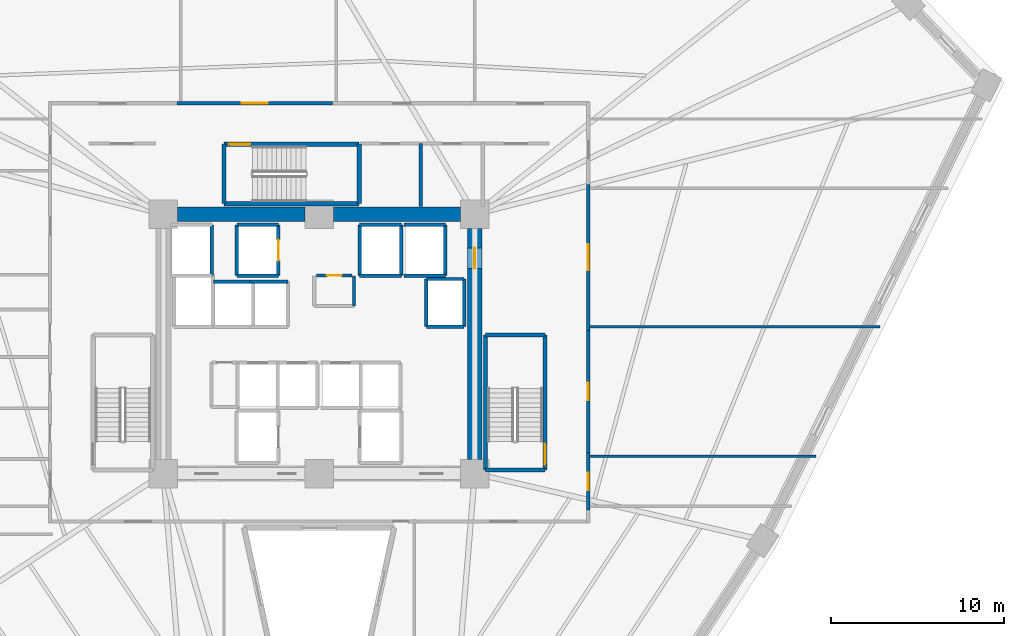
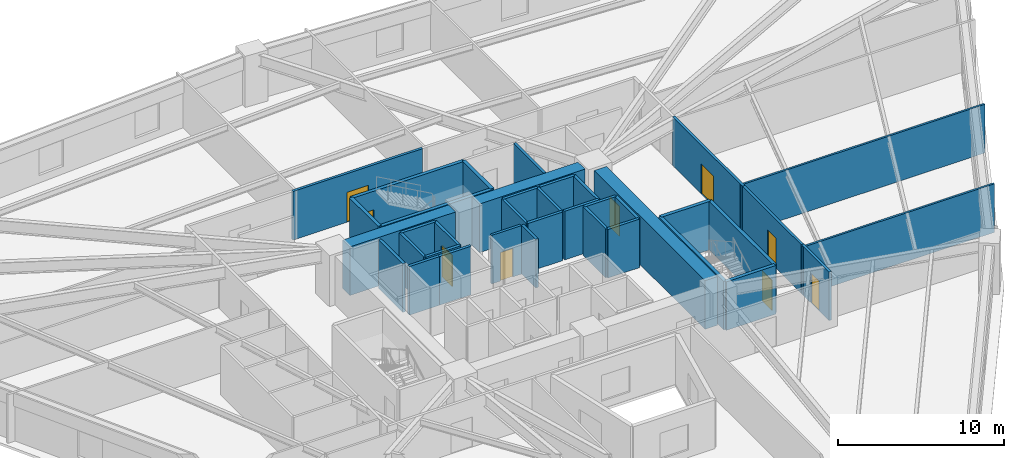
# One storey, part 6 of 9: 38 walls, 9 doors, 9 openings.
"""IFC4 building model written with IfcOpenShell, lengths in metres."""

from ifc_helpers import new_model, si_unit, direction, frame, frame_2d, origin, place, context, subcontext, project, spatial, rectangle, extrude, source, transform, mapped, material, layer, layer_set, type_object, element, fill, save


model = new_model("IFC4")

# Units and contexts
model_context = context("Model", 3, precision=1e-05, world=origin(), true_north=direction((0.0, 1.0)))
body_context = subcontext(model_context, "Body", "Model", "MODEL_VIEW")
ifc_project = project(units=[si_unit("LENGTHUNIT", "METRE"), si_unit("AREAUNIT", "SQUARE_METRE"), si_unit("VOLUMEUNIT", "CUBIC_METRE"), si_unit("PLANEANGLEUNIT", "RADIAN"), si_unit("MASSUNIT", "GRAM", prefix="KILO")], contexts=[model_context])

# Site, building, storey
site_placement = place(None, origin())
site = spatial("IfcSite", under=ifc_project, at=site_placement, CompositionType="ELEMENT")
building_placement = place(site_placement, origin())
building = spatial("IfcBuilding", under=site, at=building_placement, Name="Liaohun Quay Tower", CompositionType="ELEMENT")
storey_placement = place(building_placement, frame((0.0, 0.0, 59.25)))
storey = spatial("IfcBuildingStorey", under=building, at=storey_placement, Name="L15", CompositionType="ELEMENT", Elevation=59.25)

# Walls
ifc_material_1 = material(Name="Concrete C60", Category="concrete")
ifc_layer_1 = layer(ifc_material_1, 0.85009765625, Name="Concrete C60", Category="concrete")
ifc_layer_set_1 = layer_set([ifc_layer_1], Name="Concrete C60")
wall_type_1 = type_object("IfcWallType", Name="WAL-COR-Z1", PredefinedType="SHEAR", material=ifc_layer_set_1)
for number, where, z_axis, x_axis, name in (
    (1, (51.824951171875, 61.5, 0.0), (0.0, 0.0, 1.0), (1.0, 0.0, 0.0), "L15 Central Core Shear Wall N-W"),
    (2, (60.824951171875, 61.5, 0.0), (0.0, 0.0, 1.0), (1.0, 0.0, 0.0), "L15 Central Core Shear Wall N-E"),
):
    element("IfcWall", number, at=place(storey_placement, frame(where, z_axis=z_axis, x_axis=x_axis)), inside=storey, type_object=wall_type_1, Name=name, PredefinedType="SHEAR", context=body_context, shape_type="SweptSolid", body=[
        extrude(rectangle(XDim=7.35009765625, YDim=0.85009765625, at=frame_2d((3.675048828125, 0.0))), origin(), (0.0, 0.0, 1.0), 3.570068359375),
    ])

# Wall, opening, door
wall_1_placement = place(storey_placement, frame((69.0, 60.675048828125, 0.0), z_axis=(0.0, 0.0, 1.0), x_axis=(0.0, -1.0, 0.0)))
wall_1 = element("IfcWall", 3, at=wall_1_placement, inside=storey, type_object=wall_type_1, Name="L15 Central Core Shear Wall E", PredefinedType="SHEAR", context=body_context, shape_type="SweptSolid", body=[
    extrude(rectangle(XDim=13.35009765625, YDim=0.85009765625, at=frame_2d((6.675048828125, 0.0))), origin(), (0.0, 0.0, 1.0), 3.570068359375),
])
shared_shape_1 = source(origin(), body_context, "Body", "SweptSolid", [
    extrude(rectangle(XDim=1.199951171875, YDim=2.199951171875, at=frame_2d((0.60009765625, 1.10009765625))), frame((0.0, 0.43505859375, 0.0), z_axis=(0.0, -1.0, 0.0), x_axis=(1.0, 0.0, 0.0)), (0.0, 0.0, 1.0), 0.8701171875),
])
opening_1_placement = place(wall_1_placement, frame((1.125, 0.0, 0.0)))
opening_1 = element("IfcOpeningElement", 4, at=opening_1_placement, cuts=wall_1, Name="Opening SD1", PredefinedType="OPENING", context=body_context, shape_type="MappedRepresentation", body=[
    mapped(shared_shape_1, transform((0.0, 0.0, 0.0), x_axis=(1.0, 0.0, 0.0), y_axis=(0.0, 1.0, 0.0), z_axis=(0.0, 0.0, 1.0), scale=1.0)),
])
ifc_material_2 = material(Name="Galvanised steel fire door", Category="steel")
door_type_1 = type_object("IfcDoorType", Name="DOR-STR-1200", OperationType="NOTDEFINED", PredefinedType="DOOR", material=ifc_material_2)
shared_shape_2 = source(origin(), body_context, "Body", "SweptSolid", [
    extrude(rectangle(XDim=1.199951171875, YDim=2.199951171875, at=frame_2d((0.60009765625, 1.10009765625))), frame((0.0, 0.02490234375, 0.0), z_axis=(0.0, -1.0, 0.0), x_axis=(1.0, 0.0, 0.0)), (0.0, 0.0, 1.0), 0.050048828125),
])
door_1_placement = place(opening_1_placement, origin())
door_1 = element("IfcDoor", 5, at=door_1_placement, inside=storey, type_object=door_type_1, Name="L15 North-East Core Lobby Smokeproof Door", OperationType="SINGLE_SWING_LEFT", OverallHeight=2.199951171875, OverallWidth=1.199951171875, PredefinedType="DOOR", context=body_context, shape_type="MappedRepresentation", body=[
    mapped(shared_shape_2, transform((0.0, 0.0, 0.0), x_axis=(1.0, 0.0, 0.0), y_axis=(0.0, 1.0, 0.0), z_axis=(0.0, 0.0, 1.0), scale=1.0)),
])
fill(opening_1, door_1)

ifc_material_3 = material(Name="Autoclaved aerated concrete blockwork", Category="masonry")
ifc_layer_2 = layer(ifc_material_3, 0.179931640625, Name="Autoclaved aerated concrete blockwork", Category="masonry")
ifc_layer_set_2 = layer_set([ifc_layer_2], Name="Autoclaved aerated concrete blockwork")
wall_type_2 = type_object("IfcWallType", Name="WAL-PRT-COR", PredefinedType="PARTITIONING", material=ifc_layer_set_2)
wall_2_placement = place(storey_placement, frame((59.840087890625, 57.949951171875, 0.0), z_axis=(0.0, 0.0, 1.0), x_axis=(1.0, 0.0, 0.0)))
wall_2 = element("IfcWall", 6, at=wall_2_placement, inside=storey, type_object=wall_type_2, Name="L15 Interior Partition Wall 001", PredefinedType="PARTITIONING", context=body_context, shape_type="SweptSolid", body=[
    extrude(rectangle(XDim=2.059814453125, YDim=0.179931640625, at=frame_2d((1.02978515625, 0.0))), origin(), (0.0, 0.0, 1.0), 3.570068359375),
])
shared_shape_3 = source(origin(), body_context, "Body", "SweptSolid", [
    extrude(rectangle(XDim=0.85009765625, YDim=2.10009765625, at=frame_2d((0.425048828125, 1.050048828125))), frame((0.0, 0.099853515625, 0.0), z_axis=(0.0, -1.0, 0.0), x_axis=(1.0, 0.0, 0.0)), (0.0, 0.0, 1.0), 0.199951171875),
])
opening_2_placement = place(wall_2_placement, frame((0.60498046875, 0.0, 0.0)))
opening_2 = element("IfcOpeningElement", 7, at=opening_2_placement, cuts=wall_2, Name="Opening AD1", PredefinedType="OPENING", context=body_context, shape_type="MappedRepresentation", body=[
    mapped(shared_shape_3, transform((0.0, 0.0, 0.0), x_axis=(1.0, 0.0, 0.0), y_axis=(0.0, 1.0, 0.0), z_axis=(0.0, 0.0, 1.0), scale=1.0)),
])
ifc_material_4 = material(Name="Steel riser inspection fire door", Category="steel")
door_type_2 = type_object("IfcDoorType", Name="DOR-SHF-850", OperationType="NOTDEFINED", PredefinedType="DOOR", material=ifc_material_4)
shared_shape_4 = source(origin(), body_context, "Body", "SweptSolid", [
    extrude(rectangle(XDim=0.85009765625, YDim=2.10009765625, at=frame_2d((0.425048828125, 1.050048828125))), frame((0.0, 0.02490234375, 0.0), z_axis=(0.0, -1.0, 0.0), x_axis=(1.0, 0.0, 0.0)), (0.0, 0.0, 1.0), 0.050048828125),
])
door_2_placement = place(opening_2_placement, origin())
door_2 = element("IfcDoor", 8, at=door_2_placement, inside=storey, type_object=door_type_2, Name="L15 Core Janitor and Cleaner Store Door", OperationType="SINGLE_SWING_RIGHT", OverallHeight=2.10009765625, OverallWidth=0.85009765625, PredefinedType="DOOR", context=body_context, shape_type="MappedRepresentation", body=[
    mapped(shared_shape_4, transform((0.0, 0.0, 0.0), x_axis=(1.0, 0.0, 0.0), y_axis=(0.0, 1.0, 0.0), z_axis=(0.0, 0.0, 1.0), scale=1.0)),
])
fill(opening_2, door_2)

wall_3_placement = place(storey_placement, frame((75.56005859375, 63.215087890625, 0.0), z_axis=(0.0, 0.0, 1.0), x_axis=(0.0, -1.0, 0.0)))
wall_3 = element("IfcWall", 9, at=wall_3_placement, inside=storey, type_object=wall_type_2, Name="L15 Interior Partition Wall 010", PredefinedType="PARTITIONING", context=body_context, shape_type="SweptSolid", body=[
    extrude(rectangle(XDim=8.43017578125, YDim=0.179931640625, at=frame_2d((4.215087890625, 0.0))), origin(), (0.0, 0.0, 1.0), 3.570068359375),
])
shared_shape_5 = source(origin(), body_context, "Body", "SweptSolid", [
    extrude(rectangle(XDim=1.5, YDim=2.199951171875, at=frame_2d((0.75, 1.10009765625))), frame((0.0, 0.099853515625, 0.0), z_axis=(0.0, -1.0, 0.0), x_axis=(1.0, 0.0, 0.0)), (0.0, 0.0, 1.0), 0.199951171875),
])
opening_3_placement = place(wall_3_placement, frame((3.465087890625, 0.0, 0.0)))
opening_3 = element("IfcOpeningElement", 10, at=opening_3_placement, cuts=wall_3, Name="Opening OD2", PredefinedType="OPENING", context=body_context, shape_type="MappedRepresentation", body=[
    mapped(shared_shape_5, transform((0.0, 0.0, 0.0), x_axis=(1.0, 0.0, 0.0), y_axis=(0.0, 1.0, 0.0), z_axis=(0.0, 0.0, 1.0), scale=1.0)),
])
ifc_material_5 = material(Name="Acoustic oak veneer double door")
door_type_3 = type_object("IfcDoorType", Name="DOR-OFF-1500", OperationType="DOUBLE_DOOR_SINGLE_SWING", PredefinedType="DOOR", material=ifc_material_5)
shared_shape_6 = source(origin(), body_context, "Body", "SweptSolid", [
    extrude(rectangle(XDim=1.5, YDim=2.199951171875, at=frame_2d((0.75, 1.10009765625))), frame((0.0, 0.02490234375, 0.0), z_axis=(0.0, -1.0, 0.0), x_axis=(1.0, 0.0, 0.0)), (0.0, 0.0, 1.0), 0.050048828125),
])
door_3_placement = place(opening_3_placement, origin())
door_3 = element("IfcDoor", 11, at=door_3_placement, inside=storey, type_object=door_type_3, Name="L15 Architectural Design Studio 01 Door", OperationType="DOUBLE_DOOR_SINGLE_SWING", OverallHeight=2.199951171875, OverallWidth=1.5, PredefinedType="DOOR", context=body_context, shape_type="MappedRepresentation", body=[
    mapped(shared_shape_6, transform((0.0, 0.0, 0.0), x_axis=(1.0, 0.0, 0.0), y_axis=(0.0, 1.0, 0.0), z_axis=(0.0, 0.0, 1.0), scale=1.0)),
])
fill(opening_3, door_3)

wall_4_placement = place(storey_placement, frame((51.784912109375, 67.909912109375, 0.0), z_axis=(0.0, 0.0, 1.0), x_axis=(1.0, 0.0, 0.0)))
wall_4 = element("IfcWall", 12, at=wall_4_placement, inside=storey, type_object=wall_type_2, Name="L15 Interior Partition Wall 014", PredefinedType="PARTITIONING", context=body_context, shape_type="SweptSolid", body=[
    extrude(rectangle(XDim=9.0, YDim=0.179931640625, at=frame_2d((4.5, 0.0))), origin(), (0.0, 0.0, 1.0), 3.570068359375),
])
opening_4_placement = place(wall_4_placement, frame((3.75, 0.0, 0.0)))
opening_4 = element("IfcOpeningElement", 13, at=opening_4_placement, cuts=wall_4, Name="Opening OD2", PredefinedType="OPENING", context=body_context, shape_type="MappedRepresentation", body=[
    mapped(shared_shape_5, transform((0.0, 0.0, 0.0), x_axis=(1.0, 0.0, 0.0), y_axis=(0.0, 1.0, 0.0), z_axis=(0.0, 0.0, 1.0), scale=1.0)),
])
door_4_placement = place(opening_4_placement, origin())
door_4 = element("IfcDoor", 14, at=door_4_placement, inside=storey, type_object=door_type_3, Name="L15 Digital Prototyping Laboratory 05 Door", OperationType="DOUBLE_DOOR_SINGLE_SWING", OverallHeight=2.199951171875, OverallWidth=1.5, PredefinedType="DOOR", context=body_context, shape_type="MappedRepresentation", body=[
    mapped(shared_shape_6, transform((0.0, 0.0, 0.0), x_axis=(1.0, 0.0, 0.0), y_axis=(0.0, 1.0, 0.0), z_axis=(0.0, 0.0, 1.0), scale=1.0)),
])
fill(opening_4, door_4)

wall_5_placement = place(storey_placement, frame((75.56005859375, 47.715087890625, 0.0), z_axis=(0.0, 0.0, 1.0), x_axis=(0.0, -1.0, 0.0)))
wall_5 = element("IfcWall", 15, at=wall_5_placement, inside=storey, type_object=wall_type_2, Name="L15 Interior Partition Wall 022", PredefinedType="PARTITIONING", context=body_context, shape_type="SweptSolid", body=[
    extrude(rectangle(XDim=3.330078125, YDim=0.179931640625, at=frame_2d((1.6650390625, 0.0))), origin(), (0.0, 0.0, 1.0), 3.570068359375),
])
shared_shape_7 = source(origin(), body_context, "Body", "SweptSolid", [
    extrude(rectangle(XDim=1.0, YDim=2.199951171875, at=frame_2d((0.5, 1.10009765625))), frame((0.0, 0.099853515625, 0.0), z_axis=(0.0, -1.0, 0.0), x_axis=(1.0, 0.0, 0.0)), (0.0, 0.0, 1.0), 0.199951171875),
])
opening_5_placement = place(wall_5_placement, frame((1.1650390625, 0.0, 0.0)))
opening_5 = element("IfcOpeningElement", 16, at=opening_5_placement, cuts=wall_5, Name="Opening OD1", PredefinedType="OPENING", context=body_context, shape_type="MappedRepresentation", body=[
    mapped(shared_shape_7, transform((0.0, 0.0, 0.0), x_axis=(1.0, 0.0, 0.0), y_axis=(0.0, 1.0, 0.0), z_axis=(0.0, 0.0, 1.0), scale=1.0)),
])
ifc_material_6 = material(Name="Solid-core oak veneer timber leaf in steel frame", Category="steel")
door_type_4 = type_object("IfcDoorType", Name="DOR-OFF-1000", OperationType="NOTDEFINED", PredefinedType="DOOR", material=ifc_material_6)
shared_shape_8 = source(origin(), body_context, "Body", "SweptSolid", [
    extrude(rectangle(XDim=1.0, YDim=2.199951171875, at=frame_2d((0.5, 1.10009765625))), frame((0.0, 0.02490234375, 0.0), z_axis=(0.0, -1.0, 0.0), x_axis=(1.0, 0.0, 0.0)), (0.0, 0.0, 1.0), 0.050048828125),
])
door_5_placement = place(opening_5_placement, origin())
door_5 = element("IfcDoor", 17, at=door_5_placement, inside=storey, type_object=door_type_4, Name="L15 Regional Advisory Office 13 Door", OperationType="SINGLE_SWING_LEFT", OverallHeight=2.199951171875, OverallWidth=1.0, PredefinedType="DOOR", context=body_context, shape_type="MappedRepresentation", body=[
    mapped(shared_shape_8, transform((0.0, 0.0, 0.0), x_axis=(1.0, 0.0, 0.0), y_axis=(0.0, 1.0, 0.0), z_axis=(0.0, 0.0, 1.0), scale=1.0)),
])
fill(opening_5, door_5)

wall_6_placement = place(storey_placement, frame((75.56005859375, 54.784912109375, 0.0), z_axis=(0.0, 0.0, 1.0), x_axis=(0.0, -1.0, 0.0)))
wall_6 = element("IfcWall", 18, at=wall_6_placement, inside=storey, type_object=wall_type_2, Name="L15 Interior Partition Wall 023", PredefinedType="PARTITIONING", context=body_context, shape_type="SweptSolid", body=[
    extrude(rectangle(XDim=7.06982421875, YDim=0.179931640625, at=frame_2d((3.534912109375, 0.0))), origin(), (0.0, 0.0, 1.0), 3.570068359375),
])
opening_6_placement = place(wall_6_placement, frame((3.034912109375, 0.0, 0.0)))
opening_6 = element("IfcOpeningElement", 19, at=opening_6_placement, cuts=wall_6, Name="Opening OD1", PredefinedType="OPENING", context=body_context, shape_type="MappedRepresentation", body=[
    mapped(shared_shape_7, transform((0.0, 0.0, 0.0), x_axis=(1.0, 0.0, 0.0), y_axis=(0.0, 1.0, 0.0), z_axis=(0.0, 0.0, 1.0), scale=1.0)),
])
door_6_placement = place(opening_6_placement, origin())
door_6 = element("IfcDoor", 20, at=door_6_placement, inside=storey, type_object=door_type_4, Name="L15 Project Operations Office 14 Door", OperationType="SINGLE_SWING_RIGHT", OverallHeight=2.199951171875, OverallWidth=1.0, PredefinedType="DOOR", context=body_context, shape_type="MappedRepresentation", body=[
    mapped(shared_shape_8, transform((0.0, 0.0, 0.0), x_axis=(1.0, 0.0, 0.0), y_axis=(0.0, 1.0, 0.0), z_axis=(0.0, 0.0, 1.0), scale=1.0)),
])
fill(opening_6, door_6)

# Walls
wall_7_placement = place(storey_placement, frame((62.010009765625, 56.179931640625, 0.0), z_axis=(0.0, 0.0, 1.0), x_axis=(0.0, 1.0, 0.0)))
element("IfcWall", 21, at=wall_7_placement, inside=storey, type_object=wall_type_2, Name="L15 Interior Partition Wall 025", PredefinedType="PARTITIONING", context=body_context, shape_type="SweptSolid", body=[
    extrude(rectangle(XDim=1.739990234375, YDim=0.179931640625, at=frame_2d((0.8701171875, 0.0))), origin(), (0.0, 0.0, 1.0), 3.570068359375),
])
wall_8_placement = place(storey_placement, frame((65.8798828125, 61.949951171875, 0.0), z_axis=(0.0, 0.0, 1.0), x_axis=(0.0, 1.0, 0.0)))
element("IfcWall", 22, at=wall_8_placement, inside=storey, type_object=wall_type_2, Name="L15 Interior Partition Wall 034", PredefinedType="PARTITIONING", context=body_context, shape_type="SweptSolid", body=[
    extrude(rectangle(XDim=3.630126953125, YDim=0.179931640625, at=frame_2d((1.81494140625, 0.0))), origin(), (0.0, 0.0, 1.0), 3.570068359375),
])
ifc_material_7 = material(Name="Gypsum board on twin steel studs", Category="steel")
ifc_layer_3 = layer(ifc_material_7, 0.139892578125, Name="Gypsum board on twin steel studs", Category="steel")
ifc_layer_set_3 = layer_set([ifc_layer_3], Name="Gypsum board on twin steel studs")
wall_type_3 = type_object("IfcWallType", Name="WAL-PRT-OFF", PredefinedType="PARTITIONING", material=ifc_layer_set_3)
wall_9_placement = place(storey_placement, frame((75.4599609375, 47.5, 0.0), z_axis=(0.0, 0.0, 1.0), x_axis=(1.0, 0.0, 0.0)))
element("IfcWall", 23, at=wall_9_placement, inside=storey, type_object=wall_type_3, Name="L15 Interior Partition Wall 047", PredefinedType="PARTITIONING", context=body_context, shape_type="SweptSolid", body=[
    extrude(rectangle(XDim=13.27294921875, YDim=0.139892578125, at=frame_2d((6.636474609375, 0.0))), origin(), (0.0, 0.0, 1.0), 3.570068359375),
])
wall_10_placement = place(storey_placement, frame((75.4599609375, 55.0, 0.0), z_axis=(0.0, 0.0, 1.0), x_axis=(1.0, 0.0, 0.0)))
element("IfcWall", 24, at=wall_10_placement, inside=storey, type_object=wall_type_3, Name="L15 Interior Partition Wall 048", PredefinedType="PARTITIONING", context=body_context, shape_type="SweptSolid", body=[
    extrude(rectangle(XDim=16.958984375, YDim=0.139892578125, at=frame_2d((8.4794921875, 0.0))), origin(), (0.0, 0.0, 1.0), 3.570068359375),
])
ifc_material_8 = material(Name="Concrete C50", Category="concrete")
ifc_layer_4 = layer(ifc_material_8, 0.239990234375, Name="Concrete C50", Category="concrete")
ifc_layer_set_4 = layer_set([ifc_layer_4], Name="Concrete C50")
wall_type_4 = type_object("IfcWallType", Name="WAL-SHF-200", PredefinedType="SOLIDWALL", material=ifc_layer_set_4)
wall_11_placement = place(storey_placement, frame((69.6201171875, 46.699951171875, 0.0), z_axis=(0.0, 0.0, 1.0), x_axis=(1.0, 0.0, 0.0)))
element("IfcWall", 25, at=wall_11_placement, inside=storey, type_object=wall_type_4, Name="L15 Stairwell ST-2 Structural Core Wall S", PredefinedType="SOLIDWALL", context=body_context, shape_type="SweptSolid", body=[
    extrude(rectangle(XDim=3.43994140625, YDim=0.239990234375, at=frame_2d((1.719970703125, 0.0))), origin(), (0.0, 0.0, 1.0), 3.570068359375),
])

# Wall, opening, door
wall_12_placement = place(storey_placement, frame((73.06005859375, 46.699951171875, 0.0), z_axis=(0.0, 0.0, 1.0), x_axis=(0.0, 1.0, 0.0)))
wall_12 = element("IfcWall", 26, at=wall_12_placement, inside=storey, type_object=wall_type_4, Name="L15 Stairwell ST-2 Structural Core Wall E", PredefinedType="SOLIDWALL", context=body_context, shape_type="SweptSolid", body=[
    extrude(rectangle(XDim=7.820068359375, YDim=0.239990234375, at=frame_2d((3.91015625, 0.0))), origin(), (0.0, 0.0, 1.0), 3.570068359375),
])
shared_shape_9 = source(origin(), body_context, "Body", "SweptSolid", [
    extrude(rectangle(XDim=1.199951171875, YDim=2.199951171875, at=frame_2d((0.60009765625, 1.10009765625))), frame((0.0, 0.1298828125, 0.0), z_axis=(0.0, -1.0, 0.0), x_axis=(1.0, 0.0, 0.0)), (0.0, 0.0, 1.0), 0.260009765625),
])
opening_7_placement = place(wall_12_placement, frame((0.320068359375, 0.0, 0.0)))
opening_7 = element("IfcOpeningElement", 27, at=opening_7_placement, cuts=wall_12, Name="Opening SD1", PredefinedType="OPENING", context=body_context, shape_type="MappedRepresentation", body=[
    mapped(shared_shape_9, transform((0.0, 0.0, 0.0), x_axis=(1.0, 0.0, 0.0), y_axis=(0.0, 1.0, 0.0), z_axis=(0.0, 0.0, 1.0), scale=1.0)),
])
door_7_placement = place(opening_7_placement, origin())
door_7 = element("IfcDoor", 28, at=door_7_placement, inside=storey, type_object=door_type_1, Name="L15 Protected Stair ST-2 Fire Door", OperationType="SINGLE_SWING_RIGHT", OverallHeight=2.199951171875, OverallWidth=1.199951171875, PredefinedType="DOOR", context=body_context, shape_type="MappedRepresentation", body=[
    mapped(shared_shape_2, transform((0.0, 0.0, 0.0), x_axis=(1.0, 0.0, 0.0), y_axis=(0.0, 1.0, 0.0), z_axis=(0.0, 0.0, 1.0), scale=1.0)),
])
fill(opening_7, door_7)

# Walls
wall_13_placement = place(storey_placement, frame((73.06005859375, 54.52001953125, 0.0), z_axis=(0.0, 0.0, 1.0), x_axis=(-1.0, 0.0, 0.0)))
element("IfcWall", 29, at=wall_13_placement, inside=storey, type_object=wall_type_4, Name="L15 Stairwell ST-2 Structural Core Wall N", PredefinedType="SOLIDWALL", context=body_context, shape_type="SweptSolid", body=[
    extrude(rectangle(XDim=3.43994140625, YDim=0.239990234375, at=frame_2d((1.719970703125, 0.0))), origin(), (0.0, 0.0, 1.0), 3.570068359375),
])
for number, where, z_axis, x_axis, name in (
    (30, (69.6201171875, 54.52001953125, 0.0), (0.0, 0.0, 1.0), (0.0, -1.0, 0.0), "L15 Stairwell ST-2 Structural Core Wall W"),
    (31, (54.5, 62.10009765625, 0.0), (0.0, 0.0, 1.0), (1.0, 0.0, 0.0), "L15 Stairwell ST-3 Structural Core Wall S"),
):
    element("IfcWall", number, at=place(storey_placement, frame(where, z_axis=z_axis, x_axis=x_axis)), inside=storey, type_object=wall_type_4, Name=name, PredefinedType="SOLIDWALL", context=body_context, shape_type="SweptSolid", body=[
        extrude(rectangle(XDim=7.820068359375, YDim=0.239990234375, at=frame_2d((3.91015625, 0.0))), origin(), (0.0, 0.0, 1.0), 3.570068359375),
    ])
wall_14_placement = place(storey_placement, frame((62.320068359375, 62.10009765625, 0.0), z_axis=(0.0, 0.0, 1.0), x_axis=(0.0, 1.0, 0.0)))
element("IfcWall", 32, at=wall_14_placement, inside=storey, type_object=wall_type_4, Name="L15 Stairwell ST-3 Structural Core Wall E", PredefinedType="SOLIDWALL", context=body_context, shape_type="SweptSolid", body=[
    extrude(rectangle(XDim=3.43994140625, YDim=0.239990234375, at=frame_2d((1.719970703125, 0.0))), origin(), (0.0, 0.0, 1.0), 3.570068359375),
])

# Wall, opening, door
wall_15_placement = place(storey_placement, frame((62.320068359375, 65.5400390625, 0.0), z_axis=(0.0, 0.0, 1.0), x_axis=(-1.0, 0.0, 0.0)))
wall_15 = element("IfcWall", 33, at=wall_15_placement, inside=storey, type_object=wall_type_4, Name="L15 Stairwell ST-3 Structural Core Wall N", PredefinedType="SOLIDWALL", context=body_context, shape_type="SweptSolid", body=[
    extrude(rectangle(XDim=7.820068359375, YDim=0.239990234375, at=frame_2d((3.91015625, 0.0))), origin(), (0.0, 0.0, 1.0), 3.570068359375),
])
opening_8_placement = place(wall_15_placement, frame((6.300048828125, 0.0, 0.0)))
opening_8 = element("IfcOpeningElement", 34, at=opening_8_placement, cuts=wall_15, Name="Opening SD1", PredefinedType="OPENING", context=body_context, shape_type="MappedRepresentation", body=[
    mapped(shared_shape_9, transform((0.0, 0.0, 0.0), x_axis=(1.0, 0.0, 0.0), y_axis=(0.0, 1.0, 0.0), z_axis=(0.0, 0.0, 1.0), scale=1.0)),
])
door_8_placement = place(opening_8_placement, origin())
door_8 = element("IfcDoor", 35, at=door_8_placement, inside=storey, type_object=door_type_1, Name="L15 Protected Stair ST-3 Fire Door", OperationType="SINGLE_SWING_RIGHT", OverallHeight=2.199951171875, OverallWidth=1.199951171875, PredefinedType="DOOR", context=body_context, shape_type="MappedRepresentation", body=[
    mapped(shared_shape_2, transform((0.0, 0.0, 0.0), x_axis=(1.0, 0.0, 0.0), y_axis=(0.0, 1.0, 0.0), z_axis=(0.0, 0.0, 1.0), scale=1.0)),
])
fill(opening_8, door_8)

# Walls
wall_16_placement = place(storey_placement, frame((54.5, 65.5400390625, 0.0), z_axis=(0.0, 0.0, 1.0), x_axis=(0.0, -1.0, 0.0)))
element("IfcWall", 36, at=wall_16_placement, inside=storey, type_object=wall_type_4, Name="L15 Stairwell ST-3 Structural Core Wall W", PredefinedType="SOLIDWALL", context=body_context, shape_type="SweptSolid", body=[
    extrude(rectangle(XDim=3.43994140625, YDim=0.239990234375, at=frame_2d((1.719970703125, 0.0))), origin(), (0.0, 0.0, 1.0), 3.570068359375),
])
wall_17_placement = place(storey_placement, frame((55.25, 57.949951171875, 0.0), z_axis=(0.0, 0.0, 1.0), x_axis=(1.0, 0.0, 0.0)))
element("IfcWall", 37, at=wall_17_placement, inside=storey, type_object=wall_type_4, Name="L15 Lift FF-03 Hoistway Wall S", PredefinedType="SOLIDWALL", context=body_context, shape_type="SweptSolid", body=[
    extrude(rectangle(XDim=2.39990234375, YDim=0.199951171875, at=frame_2d((1.199951171875, 0.0))), origin(), (0.0, 0.0, 1.0), 3.570068359375),
])

# Wall, opening, door
wall_18_placement = place(storey_placement, frame((57.64990234375, 57.949951171875, 0.0), z_axis=(0.0, 0.0, 1.0), x_axis=(0.0, 1.0, 0.0)))
wall_18 = element("IfcWall", 38, at=wall_18_placement, inside=storey, type_object=wall_type_4, Name="L15 Lift FF-03 Hoistway Wall E", PredefinedType="SOLIDWALL", context=body_context, shape_type="SweptSolid", body=[
    extrude(rectangle(XDim=2.929931640625, YDim=0.199951171875, at=frame_2d((1.46484375, 0.0))), origin(), (0.0, 0.0, 1.0), 3.570068359375),
])
shared_shape_10 = source(origin(), body_context, "Body", "SweptSolid", [
    extrude(rectangle(XDim=1.199951171875, YDim=2.300048828125, at=frame_2d((0.60009765625, 1.14990234375))), frame((0.0, 0.10986328125, 0.0), z_axis=(0.0, -1.0, 0.0), x_axis=(1.0, 0.0, 0.0)), (0.0, 0.0, 1.0), 0.219970703125),
])
opening_9_placement = place(wall_18_placement, frame((0.864990234375, 0.0, 0.0)))
opening_9 = element("IfcOpeningElement", 39, at=opening_9_placement, cuts=wall_18, Name="Opening LD2", PredefinedType="OPENING", context=body_context, shape_type="MappedRepresentation", body=[
    mapped(shared_shape_10, transform((0.0, 0.0, 0.0), x_axis=(1.0, 0.0, 0.0), y_axis=(0.0, 1.0, 0.0), z_axis=(0.0, 0.0, 1.0), scale=1.0)),
])
ifc_material_9 = material(Name="Brushed stainless steel stretcher landing door", Category="steel")
door_type_5 = type_object("IfcDoorType", Name="DOR-LFT-1200", OperationType="SLIDING_TO_LEFT", PredefinedType="DOOR", material=ifc_material_9)
shared_shape_11 = source(origin(), body_context, "Body", "SweptSolid", [
    extrude(rectangle(XDim=1.199951171875, YDim=2.300048828125, at=frame_2d((0.60009765625, 1.14990234375))), frame((0.0, 0.02490234375, 0.0), z_axis=(0.0, -1.0, 0.0), x_axis=(1.0, 0.0, 0.0)), (0.0, 0.0, 1.0), 0.050048828125),
])
door_9_placement = place(opening_9_placement, origin())
door_9 = element("IfcDoor", 40, at=door_9_placement, inside=storey, type_object=door_type_5, Name="L15 Lift FF-03 Sliding Landing Door", OperationType="SLIDING_TO_LEFT", OverallHeight=2.300048828125, OverallWidth=1.199951171875, PredefinedType="DOOR", context=body_context, shape_type="MappedRepresentation", body=[
    mapped(shared_shape_11, transform((0.0, 0.0, 0.0), x_axis=(1.0, 0.0, 0.0), y_axis=(0.0, 1.0, 0.0), z_axis=(0.0, 0.0, 1.0), scale=1.0)),
])
fill(opening_9, door_9)

# Walls
wall_19_placement = place(storey_placement, frame((57.64990234375, 60.8798828125, 0.0), z_axis=(0.0, 0.0, 1.0), x_axis=(-1.0, 0.0, 0.0)))
element("IfcWall", 41, at=wall_19_placement, inside=storey, type_object=wall_type_4, Name="L15 Lift FF-03 Hoistway Wall N", PredefinedType="SOLIDWALL", context=body_context, shape_type="SweptSolid", body=[
    extrude(rectangle(XDim=2.39990234375, YDim=0.199951171875, at=frame_2d((1.199951171875, 0.0))), origin(), (0.0, 0.0, 1.0), 3.570068359375),
])
wall_20_placement = place(storey_placement, frame((55.25, 60.8798828125, 0.0), z_axis=(0.0, 0.0, 1.0), x_axis=(0.0, -1.0, 0.0)))
element("IfcWall", 42, at=wall_20_placement, inside=storey, type_object=wall_type_4, Name="L15 Lift FF-03 Hoistway Wall W", PredefinedType="SOLIDWALL", context=body_context, shape_type="SweptSolid", body=[
    extrude(rectangle(XDim=2.929931640625, YDim=0.199951171875, at=frame_2d((1.46484375, 0.0))), origin(), (0.0, 0.0, 1.0), 3.570068359375),
])
wall_21_placement = place(storey_placement, frame((62.35009765625, 57.949951171875, 0.0), z_axis=(0.0, 0.0, 1.0), x_axis=(1.0, 0.0, 0.0)))
element("IfcWall", 43, at=wall_21_placement, inside=storey, type_object=wall_type_4, Name="L15 Lift OB-01 Hoistway Wall S", PredefinedType="SOLIDWALL", context=body_context, shape_type="SweptSolid", body=[
    extrude(rectangle(XDim=2.39990234375, YDim=0.199951171875, at=frame_2d((1.199951171875, 0.0))), origin(), (0.0, 0.0, 1.0), 3.570068359375),
])
wall_22_placement = place(storey_placement, frame((64.75, 57.949951171875, 0.0), z_axis=(0.0, 0.0, 1.0), x_axis=(0.0, 1.0, 0.0)))
element("IfcWall", 44, at=wall_22_placement, inside=storey, type_object=wall_type_4, Name="L15 Lift OB-01 Hoistway Wall E", PredefinedType="SOLIDWALL", context=body_context, shape_type="SweptSolid", body=[
    extrude(rectangle(XDim=2.929931640625, YDim=0.199951171875, at=frame_2d((1.46484375, 0.0))), origin(), (0.0, 0.0, 1.0), 3.570068359375),
])
wall_23_placement = place(storey_placement, frame((64.75, 60.8798828125, 0.0), z_axis=(0.0, 0.0, 1.0), x_axis=(-1.0, 0.0, 0.0)))
element("IfcWall", 45, at=wall_23_placement, inside=storey, type_object=wall_type_4, Name="L15 Lift OB-01 Hoistway Wall N", PredefinedType="SOLIDWALL", context=body_context, shape_type="SweptSolid", body=[
    extrude(rectangle(XDim=2.39990234375, YDim=0.199951171875, at=frame_2d((1.199951171875, 0.0))), origin(), (0.0, 0.0, 1.0), 3.570068359375),
])
wall_24_placement = place(storey_placement, frame((62.35009765625, 60.8798828125, 0.0), z_axis=(0.0, 0.0, 1.0), x_axis=(0.0, -1.0, 0.0)))
element("IfcWall", 46, at=wall_24_placement, inside=storey, type_object=wall_type_4, Name="L15 Lift OB-01 Hoistway Wall W", PredefinedType="SOLIDWALL", context=body_context, shape_type="SweptSolid", body=[
    extrude(rectangle(XDim=2.929931640625, YDim=0.199951171875, at=frame_2d((1.46484375, 0.0))), origin(), (0.0, 0.0, 1.0), 3.570068359375),
])
wall_25_placement = place(storey_placement, frame((64.89990234375, 57.949951171875, 0.0), z_axis=(0.0, 0.0, 1.0), x_axis=(1.0, 0.0, 0.0)))
element("IfcWall", 47, at=wall_25_placement, inside=storey, type_object=wall_type_4, Name="L15 Lift OB-02 Hoistway Wall S", PredefinedType="SOLIDWALL", context=body_context, shape_type="SweptSolid", body=[
    extrude(rectangle(XDim=2.400146484375, YDim=0.199951171875, at=frame_2d((1.2001953125, 0.0))), origin(), (0.0, 0.0, 1.0), 3.570068359375),
])
wall_26_placement = place(storey_placement, frame((67.300048828125, 57.949951171875, 0.0), z_axis=(0.0, 0.0, 1.0), x_axis=(0.0, 1.0, 0.0)))
element("IfcWall", 48, at=wall_26_placement, inside=storey, type_object=wall_type_4, Name="L15 Lift OB-02 Hoistway Wall E", PredefinedType="SOLIDWALL", context=body_context, shape_type="SweptSolid", body=[
    extrude(rectangle(XDim=2.929931640625, YDim=0.199951171875, at=frame_2d((1.46484375, 0.0))), origin(), (0.0, 0.0, 1.0), 3.570068359375),
])
wall_27_placement = place(storey_placement, frame((67.300048828125, 60.8798828125, 0.0), z_axis=(0.0, 0.0, 1.0), x_axis=(-1.0, 0.0, 0.0)))
element("IfcWall", 49, at=wall_27_placement, inside=storey, type_object=wall_type_4, Name="L15 Lift OB-02 Hoistway Wall N", PredefinedType="SOLIDWALL", context=body_context, shape_type="SweptSolid", body=[
    extrude(rectangle(XDim=2.400146484375, YDim=0.199951171875, at=frame_2d((1.2001953125, 0.0))), origin(), (0.0, 0.0, 1.0), 3.570068359375),
])
wall_28_placement = place(storey_placement, frame((53.800048828125, 57.949951171875, 0.0), z_axis=(0.0, 0.0, 1.0), x_axis=(0.0, 1.0, 0.0)))
element("IfcWall", 50, at=wall_28_placement, inside=storey, type_object=wall_type_4, Name="L15 Lift SH-01 Hoistway Wall E", PredefinedType="SOLIDWALL", context=body_context, shape_type="SweptSolid", body=[
    extrude(rectangle(XDim=2.929931640625, YDim=0.199951171875, at=frame_2d((1.46484375, 0.0))), origin(), (0.0, 0.0, 1.0), 3.570068359375),
])
wall_29_placement = place(storey_placement, frame((66.199951171875, 55.0, 0.0), z_axis=(0.0, 0.0, 1.0), x_axis=(1.0, 0.0, 0.0)))
element("IfcWall", 51, at=wall_29_placement, inside=storey, type_object=wall_type_4, Name="L15 Lift SH-03 Hoistway Wall S", PredefinedType="SOLIDWALL", context=body_context, shape_type="SweptSolid", body=[
    extrude(rectangle(XDim=2.179931640625, YDim=0.199951171875, at=frame_2d((1.08984375, 0.0))), origin(), (0.0, 0.0, 1.0), 3.570068359375),
])
wall_30_placement = place(storey_placement, frame((68.3798828125, 55.0, 0.0), z_axis=(0.0, 0.0, 1.0), x_axis=(0.0, 1.0, 0.0)))
element("IfcWall", 52, at=wall_30_placement, inside=storey, type_object=wall_type_4, Name="L15 Lift SH-03 Hoistway Wall E", PredefinedType="SOLIDWALL", context=body_context, shape_type="SweptSolid", body=[
    extrude(rectangle(XDim=2.75, YDim=0.199951171875, at=frame_2d((1.375, 0.0))), origin(), (0.0, 0.0, 1.0), 3.570068359375),
])
wall_31_placement = place(storey_placement, frame((68.3798828125, 57.75, 0.0), z_axis=(0.0, 0.0, 1.0), x_axis=(-1.0, 0.0, 0.0)))
element("IfcWall", 53, at=wall_31_placement, inside=storey, type_object=wall_type_4, Name="L15 Lift SH-03 Hoistway Wall N", PredefinedType="SOLIDWALL", context=body_context, shape_type="SweptSolid", body=[
    extrude(rectangle(XDim=2.179931640625, YDim=0.199951171875, at=frame_2d((1.08984375, 0.0))), origin(), (0.0, 0.0, 1.0), 3.570068359375),
])
wall_32_placement = place(storey_placement, frame((66.199951171875, 57.75, 0.0), z_axis=(0.0, 0.0, 1.0), x_axis=(0.0, -1.0, 0.0)))
element("IfcWall", 54, at=wall_32_placement, inside=storey, type_object=wall_type_4, Name="L15 Lift SH-03 Hoistway Wall W", PredefinedType="SOLIDWALL", context=body_context, shape_type="SweptSolid", body=[
    extrude(rectangle(XDim=2.75, YDim=0.199951171875, at=frame_2d((1.375, 0.0))), origin(), (0.0, 0.0, 1.0), 3.570068359375),
])
wall_33_placement = place(storey_placement, frame((56.199951171875, 57.60009765625, 0.0), z_axis=(0.0, 0.0, 1.0), x_axis=(-1.0, 0.0, 0.0)))
element("IfcWall", 55, at=wall_33_placement, inside=storey, type_object=wall_type_4, Name="L15 Lift PL-2B Hoistway Wall N", PredefinedType="SOLIDWALL", context=body_context, shape_type="SweptSolid", body=[
    extrude(rectangle(XDim=2.300048828125, YDim=0.199951171875, at=frame_2d((1.14990234375, 0.0))), origin(), (0.0, 0.0, 1.0), 3.570068359375),
])
wall_34_placement = place(storey_placement, frame((58.199951171875, 57.60009765625, 0.0), z_axis=(0.0, 0.0, 1.0), x_axis=(-1.0, 0.0, 0.0)))
element("IfcWall", 56, at=wall_34_placement, inside=storey, type_object=wall_type_4, Name="L15 Lift PL-2C Hoistway Wall N", PredefinedType="SOLIDWALL", context=body_context, shape_type="SweptSolid", body=[
    extrude(rectangle(XDim=2.199951171875, YDim=0.199951171875, at=frame_2d((1.10009765625, 0.0))), origin(), (0.0, 0.0, 1.0), 3.570068359375),
])

save(model, "model.ifc")
